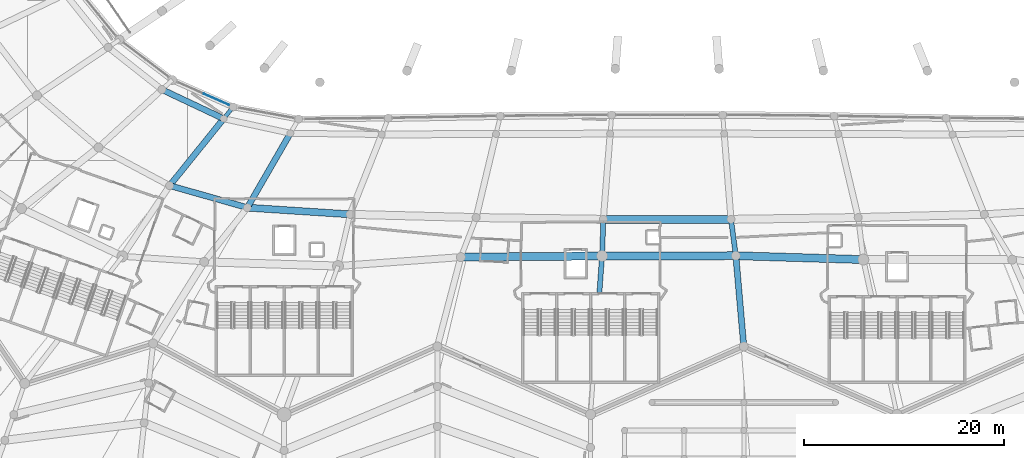
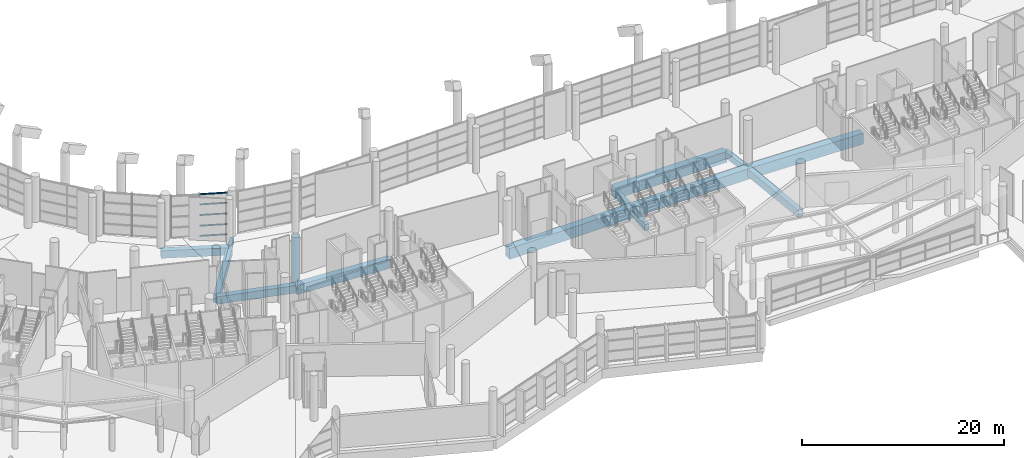
# One storey, part 23 of 271: 14 beams, 5 members, 1 element without a shape of its own.
"""IFC4 building model written with IfcOpenShell, lengths in metres."""

from ifc_helpers import new_model, si_unit, direction, frame, origin, origin_2d, place, context, subcontext, project, spatial, rectangle, extrude, material, layer, layer_set, material_profile, profile_set, type_object, element, aggregate, save


model = new_model("IFC4")

# Units and contexts
model_context = context("Model", 3, precision=1e-05, world=origin(), true_north=direction((0.0, 1.0)))
body_context = subcontext(model_context, "Body", "Model", "MODEL_VIEW")
ifc_project = project(units=[si_unit("LENGTHUNIT", "METRE"), si_unit("AREAUNIT", "SQUARE_METRE"), si_unit("VOLUMEUNIT", "CUBIC_METRE"), si_unit("PLANEANGLEUNIT", "RADIAN"), si_unit("MASSUNIT", "GRAM", prefix="KILO")], contexts=[model_context])

# Site, building, storey
site_placement = place(None, origin())
site = spatial("IfcSite", under=ifc_project, at=site_placement, CompositionType="ELEMENT")
building_placement = place(site_placement, origin())
building = spatial("IfcBuilding", under=site, at=building_placement, Name="Meseta Stadium", CompositionType="ELEMENT")
storey_placement = place(building_placement, frame((0.0, 0.0, 6.5)))
storey = spatial("IfcBuildingStorey", under=building, at=storey_placement, Name="L01", CompositionType="ELEMENT", Elevation=6.5)

# Curtain wall, members
ifc_material_1 = material(Name="Aluminium", Category="aluminium")
ifc_layer = layer(ifc_material_1, 0.199951171875)
ifc_layer_set = layer_set([ifc_layer], Name="Club glazing curtain wall")
curtain_wall_type = type_object("IfcCurtainWallType", Name="Club glazing curtain wall", PredefinedType="NOTDEFINED", material=ifc_layer_set)
curtain_wall_placement = place(storey_placement, origin())
curtain_wall = element("IfcCurtainWall", 1, at=curtain_wall_placement, inside=storey, type_object=curtain_wall_type, Name="Club glazing bay 41", PredefinedType="NOTDEFINED")
ifc_material_2 = material(Name="Aluminium", Category="aluminium")
ifc_material_profile_1 = material_profile(ifc_material_2, rectangle(XDim=0.06005859375, YDim=0.1201171875, at=origin_2d()), Name="CW 60x120")
ifc_profile_set_1 = profile_set([ifc_material_profile_1], Name="Aluminium")
member_type = type_object("IfcMemberType", Name="CW transom 60x120", PredefinedType="USERDEFINED", material=ifc_profile_set_1)
member_1_placement = place(storey_placement, frame((-46.390625, -73.30810546875, 0.06005859375), z_axis=(0.914545969516, -0.404481976905, 0.0), x_axis=(0.404481976905, 0.914545969516, 0.0)))
member_1 = element("IfcMember", 2, at=member_1_placement, type_object=member_type, Name="CWC transom 2.1", ObjectType="TRANSOM", PredefinedType="USERDEFINED", context=body_context, shape_type="SweptSolid", body=[
    extrude(rectangle(XDim=0.06005859375, YDim=0.1201171875, at=origin_2d()), origin(), (0.0, 0.0, 1.0), 2.777099609375),
])
member_2_placement = place(storey_placement, frame((-46.390625, -73.30810546875, 1.28759765625), z_axis=(0.914545969516, -0.404481976905, 0.0), x_axis=(0.404481976905, 0.914545969516, 0.0)))
member_2 = element("IfcMember", 3, at=member_2_placement, type_object=member_type, Name="CWC transom 2.2", ObjectType="TRANSOM", PredefinedType="USERDEFINED", context=body_context, shape_type="SweptSolid", body=[
    extrude(rectangle(XDim=0.06005859375, YDim=0.1201171875, at=origin_2d()), origin(), (0.0, 0.0, 1.0), 2.777099609375),
])
member_3_placement = place(storey_placement, frame((-46.390625, -73.30810546875, 2.574951171875), z_axis=(0.914545969516, -0.404481976905, 0.0), x_axis=(0.404481976905, 0.914545969516, 0.0)))
member_3 = element("IfcMember", 4, at=member_3_placement, type_object=member_type, Name="CWC transom 2.3", ObjectType="TRANSOM", PredefinedType="USERDEFINED", context=body_context, shape_type="SweptSolid", body=[
    extrude(rectangle(XDim=0.06005859375, YDim=0.1201171875, at=origin_2d()), origin(), (0.0, 0.0, 1.0), 2.777099609375),
])
member_4_placement = place(storey_placement, frame((-46.390625, -73.30810546875, 3.862548828125), z_axis=(0.914545969516, -0.404481976905, 0.0), x_axis=(0.404481976905, 0.914545969516, 0.0)))
member_4 = element("IfcMember", 5, at=member_4_placement, type_object=member_type, Name="CWC transom 2.4", ObjectType="TRANSOM", PredefinedType="USERDEFINED", context=body_context, shape_type="SweptSolid", body=[
    extrude(rectangle(XDim=0.06005859375, YDim=0.1201171875, at=origin_2d()), origin(), (0.0, 0.0, 1.0), 2.777099609375),
])
member_5_placement = place(storey_placement, frame((-46.390625, -73.30810546875, 5.090087890625), z_axis=(0.914545969516, -0.404481976905, 0.0), x_axis=(0.404481976905, 0.914545969516, 0.0)))
member_5 = element("IfcMember", 6, at=member_5_placement, type_object=member_type, Name="CWC transom 2.5", ObjectType="TRANSOM", PredefinedType="USERDEFINED", context=body_context, shape_type="SweptSolid", body=[
    extrude(rectangle(XDim=0.06005859375, YDim=0.1201171875, at=origin_2d()), origin(), (0.0, 0.0, 1.0), 2.777099609375),
])
aggregate(curtain_wall, [member_1, member_2, member_3, member_4, member_5])

# Beams
ifc_material_3 = material(Name="Concrete C40/50", Category="concrete")
ifc_material_profile_2 = material_profile(ifc_material_3, rectangle(XDim=0.39990234375, YDim=0.60009765625, at=origin_2d()), Name="RC 400x600")
ifc_profile_set_2 = profile_set([ifc_material_profile_2], Name="Concrete C40/50")
beam_type_1 = type_object("IfcBeamType", Name="RC beam 400x600", PredefinedType="BEAM", material=ifc_profile_set_2)
beam_1_placement = place(storey_placement, frame((-43.430419921875, -74.617431640625, -0.64990234375), z_axis=(-0.628002290607, -0.778211489887, 0.0), x_axis=(0.778211489887, -0.628002290607, 0.0)))
element("IfcBeam", 7, at=beam_1_placement, inside=storey, type_object=beam_type_1, Name="L01 radial beam frame 42 line C to D", PredefinedType="BEAM", context=body_context, shape_type="SweptSolid", body=[
    extrude(rectangle(XDim=0.39990234375, YDim=0.60009765625, at=origin_2d()), origin(), (0.0, 0.0, 1.0), 1.52783203125),
])
ifc_material_4 = material(Name="Concrete C40/50", Category="concrete")
ifc_material_profile_3 = material_profile(ifc_material_4, rectangle(XDim=0.5, YDim=0.75, at=origin_2d()), Name="RC 500x750")
ifc_profile_set_3 = profile_set([ifc_material_profile_3], Name="Concrete C40/50")
beam_type_2 = type_object("IfcBeamType", Name="RC beam 500x750", PredefinedType="BEAM", material=ifc_profile_set_3)
beam_2_placement = place(storey_placement, frame((-6.386962890625, -85.876708984375, -0.72509765625), z_axis=(-0.035437776234, -0.999371884743, 0.0), x_axis=(0.999371884743, -0.035437776234, 0.0)))
element("IfcBeam", 8, at=beam_2_placement, inside=storey, type_object=beam_type_2, Name="L01 radial beam frame 46 line E to P", PredefinedType="BEAM", context=body_context, shape_type="SweptSolid", body=[
    extrude(rectangle(XDim=0.5, YDim=0.75, at=origin_2d()), origin(), (0.0, 0.0, 1.0), 3.671875),
])
beam_3_placement = place(storey_placement, frame((-6.51708984375, -89.54638671875, -0.72509765625), z_axis=(-0.072312695021, -0.997382010134, 0.0), x_axis=(0.997382010134, -0.072312695021, 0.0)))
element("IfcBeam", 9, at=beam_3_placement, inside=storey, type_object=beam_type_2, Name="L01 radial beam frame 46 line P to R", PredefinedType="BEAM", context=body_context, shape_type="SweptSolid", body=[
    extrude(rectangle(XDim=0.5, YDim=0.75, at=origin_2d()), origin(), (0.0, 0.0, 1.0), 3.6630859375),
])
beam_4_placement = place(storey_placement, frame((6.386962890625, -85.876708984375, -0.72509765625), z_axis=(0.131671729661, -0.991293375146, 0.0), x_axis=(0.991293375146, 0.131671729661, 0.0)))
element("IfcBeam", 10, at=beam_4_placement, inside=storey, type_object=beam_type_2, Name="L01 radial beam frame 47 line E to P", PredefinedType="BEAM", context=body_context, shape_type="SweptSolid", body=[
    extrude(rectangle(XDim=0.5, YDim=0.75, at=origin_2d()), origin(), (0.0, 0.0, 1.0), 3.673095703125),
])
ifc_material_5 = material(Name="Concrete C40/50", Category="concrete")
ifc_material_profile_4 = material_profile(ifc_material_5, rectangle(XDim=0.60009765625, YDim=0.89990234375, at=origin_2d()), Name="RC 600x900")
ifc_profile_set_4 = profile_set([ifc_material_profile_4], Name="Concrete C40/50")
beam_type_3 = type_object("IfcBeamType", Name="RC beam 600x900", PredefinedType="BEAM", material=ifc_profile_set_4)
beam_5_placement = place(storey_placement, frame((-50.571533203125, -72.888916015625, -0.800048828125), z_axis=(0.904340564666, -0.426811601412, 0.0), x_axis=(0.426811601412, 0.904340564666, 0.0)))
element("IfcBeam", 11, at=beam_5_placement, inside=storey, type_object=beam_type_3, Name="L01 ring beam frame 41 line D", PredefinedType="BEAM", context=body_context, shape_type="SweptSolid", body=[
    extrude(rectangle(XDim=0.60009765625, YDim=0.89990234375, at=origin_2d()), origin(), (0.0, 0.0, 1.0), 6.83544921875),
])
beam_6_placement = place(storey_placement, frame((-49.791015625, -82.498779296875, -0.800048828125), z_axis=(0.961951325549, -0.273220876351, 0.0), x_axis=(0.273220876351, 0.961951325549, 0.0)))
element("IfcBeam", 12, at=beam_6_placement, inside=storey, type_object=beam_type_3, Name="L01 ring beam frame 42 line E", PredefinedType="BEAM", context=body_context, shape_type="SweptSolid", body=[
    extrude(rectangle(XDim=0.60009765625, YDim=0.89990234375, at=origin_2d()), origin(), (0.0, 0.0, 1.0), 8.083251953125),
])
beam_7_placement = place(storey_placement, frame((-44.389892578125, -75.806396484375, -0.800048828125), z_axis=(-0.628037063111, -0.778183427836, 0.0), x_axis=(0.778183427836, -0.628037063111, 0.0)))
element("IfcBeam", 13, at=beam_7_placement, inside=storey, type_object=beam_type_3, Name="L01 radial beam frame 42 line D to E", PredefinedType="BEAM", context=body_context, shape_type="SweptSolid", body=[
    extrude(rectangle(XDim=0.60009765625, YDim=0.89990234375, at=origin_2d()), origin(), (0.0, 0.0, 1.0), 8.60009765625),
])
beam_8_placement = place(storey_placement, frame((-37.711669921875, -77.26171875, -0.800048828125), z_axis=(-0.500437453612, -0.865772692467, 0.0), x_axis=(0.865772692467, -0.500437453612, 0.0)))
element("IfcBeam", 14, at=beam_8_placement, inside=storey, type_object=beam_type_3, Name="L01 radial beam frame 43 line D to E", PredefinedType="BEAM", context=body_context, shape_type="SweptSolid", body=[
    extrude(rectangle(XDim=0.60009765625, YDim=0.89990234375, at=origin_2d()), origin(), (0.0, 0.0, 1.0), 8.599853515625),
])
beam_9_placement = place(storey_placement, frame((6.87060546875, -89.517822265625, -0.800048828125), z_axis=(0.087324072983, -0.996179956774, 0.0), x_axis=(0.996179956774, 0.087324072983, 0.0)))
element("IfcBeam", 15, at=beam_9_placement, inside=storey, type_object=beam_type_3, Name="L01 radial beam frame 47 line P to R", PredefinedType="BEAM", context=body_context, shape_type="SweptSolid", body=[
    extrude(rectangle(XDim=0.60009765625, YDim=0.89990234375, at=origin_2d()), origin(), (0.0, 0.0, 1.0), 9.1171875),
])
ifc_material_6 = material(Name="Concrete C40/50", Category="concrete")
ifc_material_profile_5 = material_profile(ifc_material_6, rectangle(XDim=0.699951171875, YDim=1.10009765625, at=origin_2d()), Name="RC 700x1100")
ifc_profile_set_5 = profile_set([ifc_material_profile_5], Name="Concrete C40/50")
beam_type_4 = type_object("IfcBeamType", Name="RC beam 700x1100", PredefinedType="BEAM", material=ifc_profile_set_5)
beam_10_placement = place(storey_placement, frame((-42.015380859375, -84.707275390625, -0.89990234375), z_axis=(0.997885824096, -0.064991399959, 0.0), x_axis=(0.064991399959, 0.997885824096, 0.0)))
element("IfcBeam", 16, at=beam_10_placement, inside=storey, type_object=beam_type_4, Name="L01 ring beam frame 43 line E", PredefinedType="BEAM", context=body_context, shape_type="SweptSolid", body=[
    extrude(rectangle(XDim=0.699951171875, YDim=1.10009765625, at=origin_2d()), origin(), (0.0, 0.0, 1.0), 10.30029296875),
])
ifc_material_7 = material(Name="Concrete C40/50", Category="concrete")
ifc_material_profile_6 = material_profile(ifc_material_7, rectangle(XDim=0.800048828125, YDim=1.300048828125, at=origin_2d()), Name="RC 800x1300")
ifc_profile_set_6 = profile_set([ifc_material_profile_6], Name="Concrete C40/50")
beam_type_5 = type_object("IfcBeamType", Name="RC beam 800x1300", PredefinedType="BEAM", material=ifc_profile_set_6)
beam_11_placement = place(storey_placement, frame((-20.649658203125, -89.65625, -1.0), z_axis=(0.999969785649, 0.007773531251, 0.0), x_axis=(-0.007773531251, 0.999969785649, 0.0)))
element("IfcBeam", 17, at=beam_11_placement, inside=storey, type_object=beam_type_5, Name="L01 ring beam frame 45 line P", PredefinedType="BEAM", context=body_context, shape_type="SweptSolid", body=[
    extrude(rectangle(XDim=0.800048828125, YDim=1.300048828125, at=origin_2d()), origin(), (0.0, 0.0, 1.0), 14.133056640625),
])
beam_12_placement = place(storey_placement, frame((-6.386962890625, -85.876708984375, -1.0), z_axis=(1.0, 0.0, 0.0), x_axis=(0.0, 1.0, 0.0)))
element("IfcBeam", 18, at=beam_12_placement, inside=storey, type_object=beam_type_5, Name="L01 ring beam frame 46 line E", PredefinedType="BEAM", context=body_context, shape_type="SweptSolid", body=[
    extrude(rectangle(XDim=0.800048828125, YDim=1.300048828125, at=origin_2d()), origin(), (0.0, 0.0, 1.0), 12.77392578125),
])
beam_13_placement = place(storey_placement, frame((-6.51708984375, -89.54638671875, -1.0), z_axis=(0.999997723809, 0.002133629982, 0.0), x_axis=(-0.002133629982, 0.999997723809, 0.0)))
element("IfcBeam", 19, at=beam_13_placement, inside=storey, type_object=beam_type_5, Name="L01 ring beam frame 46 line P", PredefinedType="BEAM", context=body_context, shape_type="SweptSolid", body=[
    extrude(rectangle(XDim=0.800048828125, YDim=1.300048828125, at=origin_2d()), origin(), (0.0, 0.0, 1.0), 13.3876953125),
])
beam_14_placement = place(storey_placement, frame((6.87060546875, -89.517822265625, -1.0), z_axis=(0.999542564532, -0.030243374311, 0.0), x_axis=(0.030243374311, 0.999542564532, 0.0)))
element("IfcBeam", 20, at=beam_14_placement, inside=storey, type_object=beam_type_5, Name="L01 ring beam frame 47 line P", PredefinedType="BEAM", context=body_context, shape_type="SweptSolid", body=[
    extrude(rectangle(XDim=0.800048828125, YDim=1.300048828125, at=origin_2d()), origin(), (0.0, 0.0, 1.0), 12.7626953125),
])

save(model, "model.ifc")
